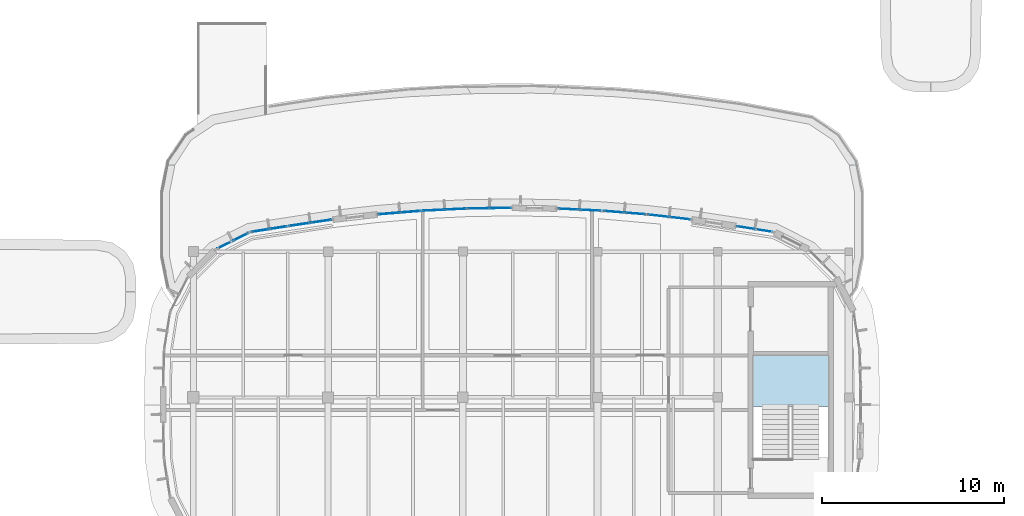
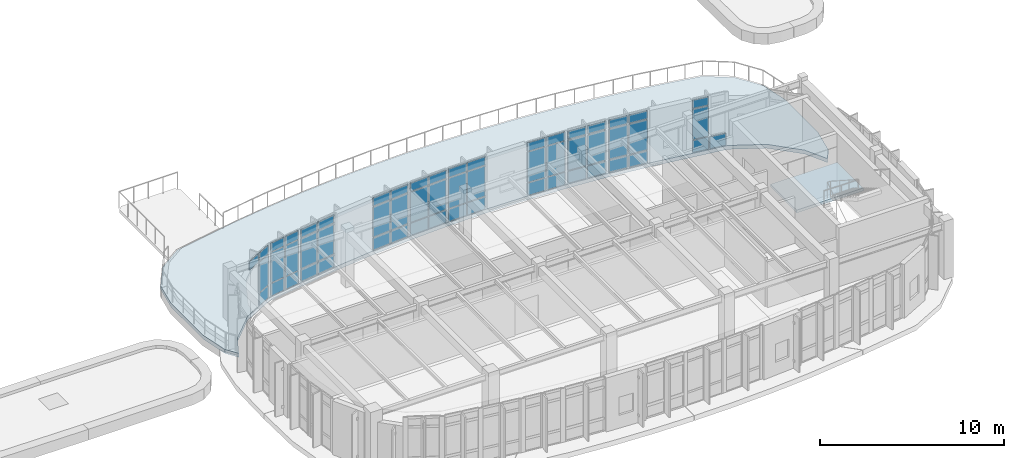
# One storey, part 68 of 111: 56 plates, 2 slabs, 11 elements without a shape of their own.
"""IFC4 building model written with IfcOpenShell, lengths in metres."""

from ifc_helpers import new_model, si_unit, direction, frame, origin, origin_2d, place, context, subcontext, project, spatial, polyline, rectangle, outline, extrude, material, layer, layer_set, type_object, element, aggregate, save


model = new_model("IFC4")

# Units and contexts
model_context = context("Model", 3, precision=1e-05, world=origin(), true_north=direction((0.0, 1.0)))
body_context = subcontext(model_context, "Body", "Model", "MODEL_VIEW")
ifc_project = project(units=[si_unit("LENGTHUNIT", "METRE"), si_unit("AREAUNIT", "SQUARE_METRE"), si_unit("VOLUMEUNIT", "CUBIC_METRE"), si_unit("PLANEANGLEUNIT", "RADIAN"), si_unit("MASSUNIT", "GRAM", prefix="KILO")], contexts=[model_context])

# Site, building, storey
site_placement = place(None, origin())
site = spatial("IfcSite", under=ifc_project, at=site_placement, CompositionType="ELEMENT")
building_placement = place(site_placement, origin())
building = spatial("IfcBuilding", under=site, at=building_placement, Name="Corveleigh Park Community Centre", CompositionType="ELEMENT")
storey_placement = place(building_placement, frame((0.0, 0.0, 4.800048828125)))
storey = spatial("IfcBuildingStorey", under=building, at=storey_placement, Name="L01", CompositionType="ELEMENT", Elevation=4.800048828125)

# Curtain wall, plates
ifc_material_1 = material(Name="Anodised aluminium 6063-T6", Category="aluminium")
curtain_wall_type = type_object("IfcCurtainWallType", Name="CW-SYS-V3-UPP", PredefinedType="NOTDEFINED", material=ifc_material_1)
curtain_wall_1_placement = place(storey_placement, origin())
curtain_wall_1 = element("IfcCurtainWall", 1, at=curtain_wall_1_placement, inside=storey, type_object=curtain_wall_type, Name="V3 L01 Curtain Wall 243", PredefinedType="NOTDEFINED")
ifc_material_2 = material(Name="Low-E double glazing", Category="glass")
ifc_layer_1 = layer(ifc_material_2, 0.028076171875, Name="Low-E double glazing", Category="glass")
ifc_layer_set_1 = layer_set([ifc_layer_1], Name="Low-E double glazing")
plate_type_1 = type_object("IfcPlateType", Name="CWP-GLZ-28", PredefinedType="CURTAIN_PANEL", material=ifc_layer_set_1)
plate_1_placement = place(storey_placement, frame((102.33837890625, 28.11474609375, 0.070068359375), z_axis=(0.0, 0.0, 1.0), x_axis=(0.987661487783, -0.156603912946, 0.0)))
plate_1 = element("IfcPlate", 2, at=plate_1_placement, type_object=plate_type_1, Name="CW06 panel 1.1", PredefinedType="CURTAIN_PANEL", context=body_context, shape_type="SweptSolid", body=[
    extrude(rectangle(XDim=0.935791015625, YDim=0.028076171875, at=origin_2d()), origin(), (0.0, 0.0, 1.0), 0.794921875),
])
plate_2_placement = place(storey_placement, frame((102.33837890625, 28.11474609375, 0.93505859375), z_axis=(0.0, 0.0, 1.0), x_axis=(0.987661487783, -0.156603912946, 0.0)))
plate_2 = element("IfcPlate", 3, at=plate_2_placement, type_object=plate_type_1, Name="CW06 panel 1.2", PredefinedType="CURTAIN_PANEL", context=body_context, shape_type="SweptSolid", body=[
    extrude(rectangle(XDim=0.935791015625, YDim=0.028076171875, at=origin_2d()), origin(), (0.0, 0.0, 1.0), 1.991943359375),
])
plate_3_placement = place(storey_placement, frame((102.33837890625, 28.11474609375, 2.9970703125), z_axis=(0.0, 0.0, 1.0), x_axis=(0.987661487783, -0.156603912946, 0.0)))
plate_3 = element("IfcPlate", 4, at=plate_3_placement, type_object=plate_type_1, Name="CW06 panel 1.3", PredefinedType="CURTAIN_PANEL", context=body_context, shape_type="SweptSolid", body=[
    extrude(rectangle(XDim=0.935791015625, YDim=0.028076171875, at=origin_2d()), origin(), (0.0, 0.0, 1.0), 0.544921875),
])
plate_4_placement = place(storey_placement, frame((103.331787109375, 27.957275390625, 0.070068359375), z_axis=(0.0, 0.0, 1.0), x_axis=(0.987661487783, -0.156603912946, 0.0)))
plate_4 = element("IfcPlate", 5, at=plate_4_placement, type_object=plate_type_1, Name="CW06 panel 2.1", PredefinedType="CURTAIN_PANEL", context=body_context, shape_type="SweptSolid", body=[
    extrude(rectangle(XDim=0.935791015625, YDim=0.028076171875, at=origin_2d()), origin(), (0.0, 0.0, 1.0), 0.794921875),
])
aggregate(curtain_wall_1, [plate_1, plate_2, plate_3, plate_4])

curtain_wall_2_placement = place(storey_placement, origin())
curtain_wall_2 = element("IfcCurtainWall", 6, at=curtain_wall_2_placement, inside=storey, type_object=curtain_wall_type, Name="V3 L01 Curtain Wall 244", PredefinedType="NOTDEFINED")
plate_5_placement = place(storey_placement, frame((97.537841796875, 28.76904296875, 0.074951171875), z_axis=(0.0, 0.0, 1.0), x_axis=(0.99351031493, -0.113742050835, 0.0)))
plate_5 = element("IfcPlate", 7, at=plate_5_placement, type_object=plate_type_1, Name="CW06 panel 1.1", PredefinedType="CURTAIN_PANEL", context=body_context, shape_type="SweptSolid", body=[
    extrude(rectangle(XDim=1.114013671875, YDim=0.028076171875, at=origin_2d()), origin(), (0.0, 0.0, 1.0), 0.78759765625),
])
plate_6_placement = place(storey_placement, frame((97.537841796875, 28.76904296875, 0.9375), z_axis=(0.0, 0.0, 1.0), x_axis=(0.99351031493, -0.113742050835, 0.0)))
plate_6 = element("IfcPlate", 8, at=plate_6_placement, type_object=plate_type_1, Name="CW06 panel 1.2", PredefinedType="CURTAIN_PANEL", context=body_context, shape_type="SweptSolid", body=[
    extrude(rectangle(XDim=1.114013671875, YDim=0.028076171875, at=origin_2d()), origin(), (0.0, 0.0, 1.0), 1.987060546875),
])
plate_7_placement = place(storey_placement, frame((97.537841796875, 28.76904296875, 2.99951171875), z_axis=(0.0, 0.0, 1.0), x_axis=(0.99351031493, -0.113742050835, 0.0)))
plate_7 = element("IfcPlate", 9, at=plate_7_placement, type_object=plate_type_1, Name="CW06 panel 1.3", PredefinedType="CURTAIN_PANEL", context=body_context, shape_type="SweptSolid", body=[
    extrude(rectangle(XDim=1.114013671875, YDim=0.028076171875, at=origin_2d()), origin(), (0.0, 0.0, 1.0), 0.53759765625),
])
plate_8_placement = place(storey_placement, frame((98.71923828125, 28.6337890625, 0.074951171875), z_axis=(0.0, 0.0, 1.0), x_axis=(0.99351031493, -0.113742050835, 0.0)))
plate_8 = element("IfcPlate", 10, at=plate_8_placement, type_object=plate_type_1, Name="CW06 panel 2.1", PredefinedType="CURTAIN_PANEL", context=body_context, shape_type="SweptSolid", body=[
    extrude(rectangle(XDim=1.114013671875, YDim=0.028076171875, at=origin_2d()), origin(), (0.0, 0.0, 1.0), 0.78759765625),
])
plate_9_placement = place(storey_placement, frame((98.71923828125, 28.6337890625, 0.9375), z_axis=(0.0, 0.0, 1.0), x_axis=(0.99351031493, -0.113742050835, 0.0)))
plate_9 = element("IfcPlate", 11, at=plate_9_placement, type_object=plate_type_1, Name="CW06 panel 2.2", PredefinedType="CURTAIN_PANEL", context=body_context, shape_type="SweptSolid", body=[
    extrude(rectangle(XDim=1.114013671875, YDim=0.028076171875, at=origin_2d()), origin(), (0.0, 0.0, 1.0), 1.987060546875),
])
plate_10_placement = place(storey_placement, frame((98.71923828125, 28.6337890625, 2.99951171875), z_axis=(0.0, 0.0, 1.0), x_axis=(0.99351031493, -0.113742050835, 0.0)))
plate_10 = element("IfcPlate", 12, at=plate_10_placement, type_object=plate_type_1, Name="CW06 panel 2.3", PredefinedType="CURTAIN_PANEL", context=body_context, shape_type="SweptSolid", body=[
    extrude(rectangle(XDim=1.114013671875, YDim=0.028076171875, at=origin_2d()), origin(), (0.0, 0.0, 1.0), 0.53759765625),
])
aggregate(curtain_wall_2, [plate_5, plate_6, plate_7, plate_8, plate_9, plate_10])

curtain_wall_3_placement = place(storey_placement, origin())
curtain_wall_3 = element("IfcCurtainWall", 13, at=curtain_wall_3_placement, inside=storey, type_object=curtain_wall_type, Name="V3 L01 Curtain Wall 245", PredefinedType="NOTDEFINED")
ifc_layer_2 = layer(ifc_material_2, 0.031982421875, Name="Low-E double glazing", Category="glass")
ifc_layer_set_2 = layer_set([ifc_layer_2], Name="Low-E double glazing")
plate_type_2 = type_object("IfcPlateType", Name="CWP-GLZ-32", PredefinedType="CURTAIN_PANEL", material=ifc_layer_set_2)
plate_11_placement = place(storey_placement, frame((95.078125, 28.99072265625, 0.080078125), z_axis=(0.0, 0.0, 1.0), x_axis=(0.996704151507, -0.081122341986, 0.0)))
plate_11 = element("IfcPlate", 14, at=plate_11_placement, type_object=plate_type_2, Name="CW06 panel 1.1", PredefinedType="CURTAIN_PANEL", context=body_context, shape_type="SweptSolid", body=[
    extrude(rectangle(XDim=1.1064453125, YDim=0.031982421875, at=origin_2d()), origin(), (0.0, 0.0, 1.0), 0.780029296875),
])
plate_12_placement = place(storey_placement, frame((95.078125, 28.99072265625, 0.93994140625), z_axis=(0.0, 0.0, 1.0), x_axis=(0.996704151507, -0.081122341986, 0.0)))
plate_12 = element("IfcPlate", 15, at=plate_12_placement, type_object=plate_type_2, Name="CW06 panel 1.2", PredefinedType="CURTAIN_PANEL", context=body_context, shape_type="SweptSolid", body=[
    extrude(rectangle(XDim=1.1064453125, YDim=0.031982421875, at=origin_2d()), origin(), (0.0, 0.0, 1.0), 1.98193359375),
])
plate_13_placement = place(storey_placement, frame((95.078125, 28.99072265625, 3.001953125), z_axis=(0.0, 0.0, 1.0), x_axis=(0.996704151507, -0.081122341986, 0.0)))
plate_13 = element("IfcPlate", 16, at=plate_13_placement, type_object=plate_type_2, Name="CW06 panel 1.3", PredefinedType="CURTAIN_PANEL", context=body_context, shape_type="SweptSolid", body=[
    extrude(rectangle(XDim=1.1064453125, YDim=0.031982421875, at=origin_2d()), origin(), (0.0, 0.0, 1.0), 0.530029296875),
])
plate_14_placement = place(storey_placement, frame((96.2607421875, 28.894287109375, 0.080078125), z_axis=(0.0, 0.0, 1.0), x_axis=(0.996704151507, -0.081122341986, 0.0)))
plate_14 = element("IfcPlate", 17, at=plate_14_placement, type_object=plate_type_2, Name="CW06 panel 2.1", PredefinedType="CURTAIN_PANEL", context=body_context, shape_type="SweptSolid", body=[
    extrude(rectangle(XDim=1.1064453125, YDim=0.031982421875, at=origin_2d()), origin(), (0.0, 0.0, 1.0), 0.780029296875),
])
plate_15_placement = place(storey_placement, frame((96.2607421875, 28.894287109375, 0.93994140625), z_axis=(0.0, 0.0, 1.0), x_axis=(0.996704151507, -0.081122341986, 0.0)))
plate_15 = element("IfcPlate", 18, at=plate_15_placement, type_object=plate_type_2, Name="CW06 panel 2.2", PredefinedType="CURTAIN_PANEL", context=body_context, shape_type="SweptSolid", body=[
    extrude(rectangle(XDim=1.1064453125, YDim=0.031982421875, at=origin_2d()), origin(), (0.0, 0.0, 1.0), 1.98193359375),
])
plate_16_placement = place(storey_placement, frame((96.2607421875, 28.894287109375, 3.001953125), z_axis=(0.0, 0.0, 1.0), x_axis=(0.996704151507, -0.081122341986, 0.0)))
plate_16 = element("IfcPlate", 19, at=plate_16_placement, type_object=plate_type_2, Name="CW06 panel 2.3", PredefinedType="CURTAIN_PANEL", context=body_context, shape_type="SweptSolid", body=[
    extrude(rectangle(XDim=1.1064453125, YDim=0.031982421875, at=origin_2d()), origin(), (0.0, 0.0, 1.0), 0.530029296875),
])
aggregate(curtain_wall_3, [plate_11, plate_12, plate_13, plate_14, plate_15, plate_16])

curtain_wall_4_placement = place(storey_placement, origin())
curtain_wall_4 = element("IfcCurtainWall", 20, at=curtain_wall_4_placement, inside=storey, type_object=curtain_wall_type, Name="V3 L01 Curtain Wall 246", PredefinedType="NOTDEFINED")
plate_17_placement = place(storey_placement, frame((92.61279296875, 29.132080078125, 0.059814453125), z_axis=(0.0, 0.0, 1.0), x_axis=(0.998802653687, -0.048920946301, 0.0)))
plate_17 = element("IfcPlate", 21, at=plate_17_placement, type_object=plate_type_2, Name="CW06 panel 1.1", PredefinedType="CURTAIN_PANEL", context=body_context, shape_type="SweptSolid", body=[
    extrude(rectangle(XDim=1.098876953125, YDim=0.031982421875, at=origin_2d()), origin(), (0.0, 0.0, 1.0), 0.81005859375),
])
plate_18_placement = place(storey_placement, frame((92.61279296875, 29.132080078125, 0.929931640625), z_axis=(0.0, 0.0, 1.0), x_axis=(0.998802653687, -0.048920946301, 0.0)))
plate_18 = element("IfcPlate", 22, at=plate_18_placement, type_object=plate_type_2, Name="CW06 panel 1.2", PredefinedType="CURTAIN_PANEL", context=body_context, shape_type="SweptSolid", body=[
    extrude(rectangle(XDim=1.098876953125, YDim=0.031982421875, at=origin_2d()), origin(), (0.0, 0.0, 1.0), 2.001953125),
])
plate_19_placement = place(storey_placement, frame((92.61279296875, 29.132080078125, 2.991943359375), z_axis=(0.0, 0.0, 1.0), x_axis=(0.998802653687, -0.048920946301, 0.0)))
plate_19 = element("IfcPlate", 23, at=plate_19_placement, type_object=plate_type_2, Name="CW06 panel 1.3", PredefinedType="CURTAIN_PANEL", context=body_context, shape_type="SweptSolid", body=[
    extrude(rectangle(XDim=1.098876953125, YDim=0.031982421875, at=origin_2d()), origin(), (0.0, 0.0, 1.0), 0.56005859375),
])
plate_20_placement = place(storey_placement, frame((93.795166015625, 29.073974609375, 0.059814453125), z_axis=(0.0, 0.0, 1.0), x_axis=(0.998802653687, -0.048920946301, 0.0)))
plate_20 = element("IfcPlate", 24, at=plate_20_placement, type_object=plate_type_2, Name="CW06 panel 2.1", PredefinedType="CURTAIN_PANEL", context=body_context, shape_type="SweptSolid", body=[
    extrude(rectangle(XDim=1.098876953125, YDim=0.031982421875, at=origin_2d()), origin(), (0.0, 0.0, 1.0), 0.81005859375),
])
plate_21_placement = place(storey_placement, frame((93.795166015625, 29.073974609375, 0.929931640625), z_axis=(0.0, 0.0, 1.0), x_axis=(0.998802653687, -0.048920946301, 0.0)))
plate_21 = element("IfcPlate", 25, at=plate_21_placement, type_object=plate_type_2, Name="CW06 panel 2.2", PredefinedType="CURTAIN_PANEL", context=body_context, shape_type="SweptSolid", body=[
    extrude(rectangle(XDim=1.098876953125, YDim=0.031982421875, at=origin_2d()), origin(), (0.0, 0.0, 1.0), 2.001953125),
])
plate_22_placement = place(storey_placement, frame((93.795166015625, 29.073974609375, 2.991943359375), z_axis=(0.0, 0.0, 1.0), x_axis=(0.998802653687, -0.048920946301, 0.0)))
plate_22 = element("IfcPlate", 26, at=plate_22_placement, type_object=plate_type_2, Name="CW06 panel 2.3", PredefinedType="CURTAIN_PANEL", context=body_context, shape_type="SweptSolid", body=[
    extrude(rectangle(XDim=1.098876953125, YDim=0.031982421875, at=origin_2d()), origin(), (0.0, 0.0, 1.0), 0.56005859375),
])
aggregate(curtain_wall_4, [plate_17, plate_18, plate_19, plate_20, plate_21, plate_22])

curtain_wall_5_placement = place(storey_placement, origin())
curtain_wall_5 = element("IfcCurtainWall", 27, at=curtain_wall_5_placement, inside=storey, type_object=curtain_wall_type, Name="V3 L01 Curtain Wall 247", PredefinedType="NOTDEFINED")
ifc_layer_3 = layer(ifc_material_2, 0.035888671875, Name="Low-E double glazing", Category="glass")
ifc_layer_set_3 = layer_set([ifc_layer_3], Name="Low-E double glazing")
plate_type_3 = type_object("IfcPlateType", Name="CWP-GLZ-36", PredefinedType="CURTAIN_PANEL", material=ifc_layer_set_3)
plate_23_placement = place(storey_placement, frame((87.6669921875, 29.17333984375, 0.06494140625), z_axis=(0.0, 0.0, 1.0), x_axis=(0.999866966081, 0.016311043488, 0.0)))
plate_23 = element("IfcPlate", 28, at=plate_23_placement, type_object=plate_type_3, Name="CW06 panel 1.1", PredefinedType="CURTAIN_PANEL", context=body_context, shape_type="SweptSolid", body=[
    extrude(rectangle(XDim=1.13623046875, YDim=0.035888671875, at=origin_2d()), origin(), (0.0, 0.0, 1.0), 0.802490234375),
])
plate_24_placement = place(storey_placement, frame((87.6669921875, 29.17333984375, 0.932373046875), z_axis=(0.0, 0.0, 1.0), x_axis=(0.999866966081, 0.016311043488, 0.0)))
plate_24 = element("IfcPlate", 29, at=plate_24_placement, type_object=plate_type_3, Name="CW06 panel 1.2", PredefinedType="CURTAIN_PANEL", context=body_context, shape_type="SweptSolid", body=[
    extrude(rectangle(XDim=1.13623046875, YDim=0.035888671875, at=origin_2d()), origin(), (0.0, 0.0, 1.0), 1.9970703125),
])
plate_25_placement = place(storey_placement, frame((87.6669921875, 29.17333984375, 2.99462890625), z_axis=(0.0, 0.0, 1.0), x_axis=(0.999866966081, 0.016311043488, 0.0)))
plate_25 = element("IfcPlate", 30, at=plate_25_placement, type_object=plate_type_3, Name="CW06 panel 1.3", PredefinedType="CURTAIN_PANEL", context=body_context, shape_type="SweptSolid", body=[
    extrude(rectangle(XDim=1.13623046875, YDim=0.035888671875, at=origin_2d()), origin(), (0.0, 0.0, 1.0), 0.552490234375),
])
plate_26_placement = place(storey_placement, frame((88.863037109375, 29.19287109375, 0.06494140625), z_axis=(0.0, 0.0, 1.0), x_axis=(0.999866966081, 0.016311043488, 0.0)))
plate_26 = element("IfcPlate", 31, at=plate_26_placement, type_object=plate_type_3, Name="CW06 panel 2.1", PredefinedType="CURTAIN_PANEL", context=body_context, shape_type="SweptSolid", body=[
    extrude(rectangle(XDim=1.13623046875, YDim=0.035888671875, at=origin_2d()), origin(), (0.0, 0.0, 1.0), 0.802490234375),
])
plate_27_placement = place(storey_placement, frame((88.863037109375, 29.19287109375, 0.932373046875), z_axis=(0.0, 0.0, 1.0), x_axis=(0.999866966081, 0.016311043488, 0.0)))
plate_27 = element("IfcPlate", 32, at=plate_27_placement, type_object=plate_type_3, Name="CW06 panel 2.2", PredefinedType="CURTAIN_PANEL", context=body_context, shape_type="SweptSolid", body=[
    extrude(rectangle(XDim=1.13623046875, YDim=0.035888671875, at=origin_2d()), origin(), (0.0, 0.0, 1.0), 1.9970703125),
])
plate_28_placement = place(storey_placement, frame((88.863037109375, 29.19287109375, 2.99462890625), z_axis=(0.0, 0.0, 1.0), x_axis=(0.999866966081, 0.016311043488, 0.0)))
plate_28 = element("IfcPlate", 33, at=plate_28_placement, type_object=plate_type_3, Name="CW06 panel 2.3", PredefinedType="CURTAIN_PANEL", context=body_context, shape_type="SweptSolid", body=[
    extrude(rectangle(XDim=1.13623046875, YDim=0.035888671875, at=origin_2d()), origin(), (0.0, 0.0, 1.0), 0.552490234375),
])
aggregate(curtain_wall_5, [plate_23, plate_24, plate_25, plate_26, plate_27, plate_28])

curtain_wall_6_placement = place(storey_placement, origin())
curtain_wall_6 = element("IfcCurtainWall", 34, at=curtain_wall_6_placement, inside=storey, type_object=curtain_wall_type, Name="V3 L01 Curtain Wall 248", PredefinedType="NOTDEFINED")
plate_29_placement = place(storey_placement, frame((85.19970703125, 29.07373046875, 0.070068359375), z_axis=(0.0, 0.0, 1.0), x_axis=(0.998802653687, 0.048920946301, 0.0)))
plate_29 = element("IfcPlate", 35, at=plate_29_placement, type_object=plate_type_3, Name="CW06 panel 1.1", PredefinedType="CURTAIN_PANEL", context=body_context, shape_type="SweptSolid", body=[
    extrude(rectangle(XDim=1.12890625, YDim=0.035888671875, at=origin_2d()), origin(), (0.0, 0.0, 1.0), 0.794921875),
])
plate_30_placement = place(storey_placement, frame((85.19970703125, 29.07373046875, 0.93505859375), z_axis=(0.0, 0.0, 1.0), x_axis=(0.998802653687, 0.048920946301, 0.0)))
plate_30 = element("IfcPlate", 36, at=plate_30_placement, type_object=plate_type_3, Name="CW06 panel 1.2", PredefinedType="CURTAIN_PANEL", context=body_context, shape_type="SweptSolid", body=[
    extrude(rectangle(XDim=1.12890625, YDim=0.035888671875, at=origin_2d()), origin(), (0.0, 0.0, 1.0), 1.991943359375),
])
plate_31_placement = place(storey_placement, frame((85.19970703125, 29.07373046875, 2.9970703125), z_axis=(0.0, 0.0, 1.0), x_axis=(0.998802653687, 0.048920946301, 0.0)))
plate_31 = element("IfcPlate", 37, at=plate_31_placement, type_object=plate_type_3, Name="CW06 panel 1.3", PredefinedType="CURTAIN_PANEL", context=body_context, shape_type="SweptSolid", body=[
    extrude(rectangle(XDim=1.12890625, YDim=0.035888671875, at=origin_2d()), origin(), (0.0, 0.0, 1.0), 0.544921875),
])
plate_32_placement = place(storey_placement, frame((86.392333984375, 29.13232421875, 0.070068359375), z_axis=(0.0, 0.0, 1.0), x_axis=(0.998802653687, 0.048920946301, 0.0)))
plate_32 = element("IfcPlate", 38, at=plate_32_placement, type_object=plate_type_3, Name="CW06 panel 2.1", PredefinedType="CURTAIN_PANEL", context=body_context, shape_type="SweptSolid", body=[
    extrude(rectangle(XDim=1.12890625, YDim=0.035888671875, at=origin_2d()), origin(), (0.0, 0.0, 1.0), 0.794921875),
])
plate_33_placement = place(storey_placement, frame((86.392333984375, 29.13232421875, 0.93505859375), z_axis=(0.0, 0.0, 1.0), x_axis=(0.998802653687, 0.048920946301, 0.0)))
plate_33 = element("IfcPlate", 39, at=plate_33_placement, type_object=plate_type_3, Name="CW06 panel 2.2", PredefinedType="CURTAIN_PANEL", context=body_context, shape_type="SweptSolid", body=[
    extrude(rectangle(XDim=1.12890625, YDim=0.035888671875, at=origin_2d()), origin(), (0.0, 0.0, 1.0), 1.991943359375),
])
plate_34_placement = place(storey_placement, frame((86.392333984375, 29.13232421875, 2.9970703125), z_axis=(0.0, 0.0, 1.0), x_axis=(0.998802653687, 0.048920946301, 0.0)))
plate_34 = element("IfcPlate", 40, at=plate_34_placement, type_object=plate_type_3, Name="CW06 panel 2.3", PredefinedType="CURTAIN_PANEL", context=body_context, shape_type="SweptSolid", body=[
    extrude(rectangle(XDim=1.12890625, YDim=0.035888671875, at=origin_2d()), origin(), (0.0, 0.0, 1.0), 0.544921875),
])
aggregate(curtain_wall_6, [plate_29, plate_30, plate_31, plate_32, plate_33, plate_34])

curtain_wall_7_placement = place(storey_placement, origin())
curtain_wall_7 = element("IfcCurtainWall", 41, at=curtain_wall_7_placement, inside=storey, type_object=curtain_wall_type, Name="V3 L01 Curtain Wall 249", PredefinedType="NOTDEFINED")
ifc_layer_4 = layer(ifc_material_2, 0.0400390625, Name="Low-E double glazing", Category="glass")
ifc_layer_set_4 = layer_set([ifc_layer_4], Name="Low-E double glazing")
plate_type_4 = type_object("IfcPlateType", Name="CWP-GLZ-40", PredefinedType="CURTAIN_PANEL", material=ifc_layer_set_4)
plate_35_placement = place(storey_placement, frame((82.736572265625, 28.894287109375, 0.074951171875), z_axis=(0.0, 0.0, 1.0), x_axis=(0.996704151507, 0.081122341986, 0.0)))
plate_35 = element("IfcPlate", 42, at=plate_35_placement, type_object=plate_type_4, Name="CW06 panel 1.1", PredefinedType="CURTAIN_PANEL", context=body_context, shape_type="SweptSolid", body=[
    extrude(rectangle(XDim=1.12158203125, YDim=0.0400390625, at=origin_2d()), origin(), (0.0, 0.0, 1.0), 0.78759765625),
])
plate_36_placement = place(storey_placement, frame((82.736572265625, 28.894287109375, 0.9375), z_axis=(0.0, 0.0, 1.0), x_axis=(0.996704151507, 0.081122341986, 0.0)))
plate_36 = element("IfcPlate", 43, at=plate_36_placement, type_object=plate_type_4, Name="CW06 panel 1.2", PredefinedType="CURTAIN_PANEL", context=body_context, shape_type="SweptSolid", body=[
    extrude(rectangle(XDim=1.12158203125, YDim=0.0400390625, at=origin_2d()), origin(), (0.0, 0.0, 1.0), 1.987060546875),
])
plate_37_placement = place(storey_placement, frame((82.736572265625, 28.894287109375, 2.99951171875), z_axis=(0.0, 0.0, 1.0), x_axis=(0.996704151507, 0.081122341986, 0.0)))
plate_37 = element("IfcPlate", 44, at=plate_37_placement, type_object=plate_type_4, Name="CW06 panel 1.3", PredefinedType="CURTAIN_PANEL", context=body_context, shape_type="SweptSolid", body=[
    extrude(rectangle(XDim=1.12158203125, YDim=0.0400390625, at=origin_2d()), origin(), (0.0, 0.0, 1.0), 0.53759765625),
])
plate_38_placement = place(storey_placement, frame((83.92431640625, 28.99072265625, 0.074951171875), z_axis=(0.0, 0.0, 1.0), x_axis=(0.996704151507, 0.081122341986, 0.0)))
plate_38 = element("IfcPlate", 45, at=plate_38_placement, type_object=plate_type_4, Name="CW06 panel 2.1", PredefinedType="CURTAIN_PANEL", context=body_context, shape_type="SweptSolid", body=[
    extrude(rectangle(XDim=1.12158203125, YDim=0.0400390625, at=origin_2d()), origin(), (0.0, 0.0, 1.0), 0.78759765625),
])
plate_39_placement = place(storey_placement, frame((83.92431640625, 28.99072265625, 0.9375), z_axis=(0.0, 0.0, 1.0), x_axis=(0.996704151507, 0.081122341986, 0.0)))
plate_39 = element("IfcPlate", 46, at=plate_39_placement, type_object=plate_type_4, Name="CW06 panel 2.2", PredefinedType="CURTAIN_PANEL", context=body_context, shape_type="SweptSolid", body=[
    extrude(rectangle(XDim=1.12158203125, YDim=0.0400390625, at=origin_2d()), origin(), (0.0, 0.0, 1.0), 1.987060546875),
])
plate_40_placement = place(storey_placement, frame((83.92431640625, 28.99072265625, 2.99951171875), z_axis=(0.0, 0.0, 1.0), x_axis=(0.996704151507, 0.081122341986, 0.0)))
plate_40 = element("IfcPlate", 47, at=plate_40_placement, type_object=plate_type_4, Name="CW06 panel 2.3", PredefinedType="CURTAIN_PANEL", context=body_context, shape_type="SweptSolid", body=[
    extrude(rectangle(XDim=1.12158203125, YDim=0.0400390625, at=origin_2d()), origin(), (0.0, 0.0, 1.0), 0.53759765625),
])
aggregate(curtain_wall_7, [plate_35, plate_36, plate_37, plate_38, plate_39, plate_40])

curtain_wall_8_placement = place(storey_placement, origin())
curtain_wall_8 = element("IfcCurtainWall", 48, at=curtain_wall_8_placement, inside=storey, type_object=curtain_wall_type, Name="V3 L01 Curtain Wall 250", PredefinedType="NOTDEFINED")
plate_41_placement = place(storey_placement, frame((77.83251953125, 28.29345703125, 0.080078125), z_axis=(0.0, 0.0, 1.0), x_axis=(0.989244986105, 0.146268101327, 0.0)))
plate_41 = element("IfcPlate", 49, at=plate_41_placement, type_object=plate_type_4, Name="CW06 panel 1.1", PredefinedType="CURTAIN_PANEL", context=body_context, shape_type="SweptSolid", body=[
    extrude(rectangle(XDim=1.11474609375, YDim=0.0400390625, at=origin_2d()), origin(), (0.0, 0.0, 1.0), 0.780029296875),
])
plate_42_placement = place(storey_placement, frame((77.83251953125, 28.29345703125, 0.93994140625), z_axis=(0.0, 0.0, 1.0), x_axis=(0.989244986105, 0.146268101327, 0.0)))
plate_42 = element("IfcPlate", 50, at=plate_42_placement, type_object=plate_type_4, Name="CW06 panel 1.2", PredefinedType="CURTAIN_PANEL", context=body_context, shape_type="SweptSolid", body=[
    extrude(rectangle(XDim=1.11474609375, YDim=0.0400390625, at=origin_2d()), origin(), (0.0, 0.0, 1.0), 1.98193359375),
])
plate_43_placement = place(storey_placement, frame((77.83251953125, 28.29345703125, 3.001953125), z_axis=(0.0, 0.0, 1.0), x_axis=(0.989244986105, 0.146268101327, 0.0)))
plate_43 = element("IfcPlate", 51, at=plate_43_placement, type_object=plate_type_4, Name="CW06 panel 1.3", PredefinedType="CURTAIN_PANEL", context=body_context, shape_type="SweptSolid", body=[
    extrude(rectangle(XDim=1.11474609375, YDim=0.0400390625, at=origin_2d()), origin(), (0.0, 0.0, 1.0), 0.530029296875),
])
plate_44_placement = place(storey_placement, frame((79.009521484375, 28.467529296875, 0.080078125), z_axis=(0.0, 0.0, 1.0), x_axis=(0.989244986105, 0.146268101327, 0.0)))
plate_44 = element("IfcPlate", 52, at=plate_44_placement, type_object=plate_type_4, Name="CW06 panel 2.1", PredefinedType="CURTAIN_PANEL", context=body_context, shape_type="SweptSolid", body=[
    extrude(rectangle(XDim=1.11474609375, YDim=0.0400390625, at=origin_2d()), origin(), (0.0, 0.0, 1.0), 0.780029296875),
])
plate_45_placement = place(storey_placement, frame((79.009521484375, 28.467529296875, 0.93994140625), z_axis=(0.0, 0.0, 1.0), x_axis=(0.989244986105, 0.146268101327, 0.0)))
plate_45 = element("IfcPlate", 53, at=plate_45_placement, type_object=plate_type_4, Name="CW06 panel 2.2", PredefinedType="CURTAIN_PANEL", context=body_context, shape_type="SweptSolid", body=[
    extrude(rectangle(XDim=1.11474609375, YDim=0.0400390625, at=origin_2d()), origin(), (0.0, 0.0, 1.0), 1.98193359375),
])
plate_46_placement = place(storey_placement, frame((79.009521484375, 28.467529296875, 3.001953125), z_axis=(0.0, 0.0, 1.0), x_axis=(0.989244986105, 0.146268101327, 0.0)))
plate_46 = element("IfcPlate", 54, at=plate_46_placement, type_object=plate_type_4, Name="CW06 panel 2.3", PredefinedType="CURTAIN_PANEL", context=body_context, shape_type="SweptSolid", body=[
    extrude(rectangle(XDim=1.11474609375, YDim=0.0400390625, at=origin_2d()), origin(), (0.0, 0.0, 1.0), 0.530029296875),
])
aggregate(curtain_wall_8, [plate_41, plate_42, plate_43, plate_44, plate_45, plate_46])

curtain_wall_9_placement = place(storey_placement, origin())
curtain_wall_9 = element("IfcCurtainWall", 55, at=curtain_wall_9_placement, inside=storey, type_object=curtain_wall_type, Name="V3 L01 Curtain Wall 251", PredefinedType="NOTDEFINED")
ifc_layer_5 = layer(ifc_material_2, 0.0439453125, Name="Low-E double glazing", Category="glass")
ifc_layer_set_5 = layer_set([ifc_layer_5], Name="Low-E double glazing")
plate_type_5 = type_object("IfcPlateType", Name="CWP-GLZ-44", PredefinedType="CURTAIN_PANEL", material=ifc_layer_set_5)
plate_47_placement = place(storey_placement, frame((75.670654296875, 27.95751953125, 0.059814453125), z_axis=(0.0, 0.0, 1.0), x_axis=(0.987661487783, 0.156603912946, 0.0)))
plate_47 = element("IfcPlate", 56, at=plate_47_placement, type_object=plate_type_5, Name="CW06 panel 1.1", PredefinedType="CURTAIN_PANEL", context=body_context, shape_type="SweptSolid", body=[
    extrude(rectangle(XDim=0.9208984375, YDim=0.0439453125, at=origin_2d()), origin(), (0.0, 0.0, 1.0), 0.81005859375),
])
plate_48_placement = place(storey_placement, frame((75.670654296875, 27.95751953125, 0.929931640625), z_axis=(0.0, 0.0, 1.0), x_axis=(0.987661487783, 0.156603912946, 0.0)))
plate_48 = element("IfcPlate", 57, at=plate_48_placement, type_object=plate_type_5, Name="CW06 panel 1.2", PredefinedType="CURTAIN_PANEL", context=body_context, shape_type="SweptSolid", body=[
    extrude(rectangle(XDim=0.9208984375, YDim=0.0439453125, at=origin_2d()), origin(), (0.0, 0.0, 1.0), 2.001953125),
])
plate_49_placement = place(storey_placement, frame((75.670654296875, 27.95751953125, 2.991943359375), z_axis=(0.0, 0.0, 1.0), x_axis=(0.987661487783, 0.156603912946, 0.0)))
plate_49 = element("IfcPlate", 58, at=plate_49_placement, type_object=plate_type_5, Name="CW06 panel 1.3", PredefinedType="CURTAIN_PANEL", context=body_context, shape_type="SweptSolid", body=[
    extrude(rectangle(XDim=0.9208984375, YDim=0.0439453125, at=origin_2d()), origin(), (0.0, 0.0, 1.0), 0.56005859375),
])
plate_50_placement = place(storey_placement, frame((76.6591796875, 28.1142578125, 0.059814453125), z_axis=(0.0, 0.0, 1.0), x_axis=(0.987661487783, 0.156603912946, 0.0)))
plate_50 = element("IfcPlate", 59, at=plate_50_placement, type_object=plate_type_5, Name="CW06 panel 2.1", PredefinedType="CURTAIN_PANEL", context=body_context, shape_type="SweptSolid", body=[
    extrude(rectangle(XDim=0.9208984375, YDim=0.0439453125, at=origin_2d()), origin(), (0.0, 0.0, 1.0), 0.81005859375),
])
plate_51_placement = place(storey_placement, frame((76.6591796875, 28.1142578125, 0.929931640625), z_axis=(0.0, 0.0, 1.0), x_axis=(0.987661487783, 0.156603912946, 0.0)))
plate_51 = element("IfcPlate", 60, at=plate_51_placement, type_object=plate_type_5, Name="CW06 panel 2.2", PredefinedType="CURTAIN_PANEL", context=body_context, shape_type="SweptSolid", body=[
    extrude(rectangle(XDim=0.9208984375, YDim=0.0439453125, at=origin_2d()), origin(), (0.0, 0.0, 1.0), 2.001953125),
])
plate_52_placement = place(storey_placement, frame((76.6591796875, 28.1142578125, 2.991943359375), z_axis=(0.0, 0.0, 1.0), x_axis=(0.987661487783, 0.156603912946, 0.0)))
plate_52 = element("IfcPlate", 61, at=plate_52_placement, type_object=plate_type_5, Name="CW06 panel 2.3", PredefinedType="CURTAIN_PANEL", context=body_context, shape_type="SweptSolid", body=[
    extrude(rectangle(XDim=0.9208984375, YDim=0.0439453125, at=origin_2d()), origin(), (0.0, 0.0, 1.0), 0.56005859375),
])
aggregate(curtain_wall_9, [plate_47, plate_48, plate_49, plate_50, plate_51, plate_52])

curtain_wall_10_placement = place(storey_placement, origin())
curtain_wall_10 = element("IfcCurtainWall", 62, at=curtain_wall_10_placement, inside=storey, type_object=curtain_wall_type, Name="V3 L01 Curtain Wall 252", PredefinedType="NOTDEFINED")
plate_53_placement = place(storey_placement, frame((73.712890625, 27.16064453125, 2.99462890625), z_axis=(0.0, 0.0, 1.0), x_axis=(0.890890679418, 0.454217786228, 0.0)))
plate_53 = element("IfcPlate", 63, at=plate_53_placement, type_object=plate_type_5, Name="CW06 panel 1.3", PredefinedType="CURTAIN_PANEL", context=body_context, shape_type="SweptSolid", body=[
    extrude(rectangle(XDim=0.8984375, YDim=0.0439453125, at=origin_2d()), origin(), (0.0, 0.0, 1.0), 0.552490234375),
])
plate_54_placement = place(storey_placement, frame((74.589111328125, 27.607421875, 0.06494140625), z_axis=(0.0, 0.0, 1.0), x_axis=(0.890890679418, 0.454217786228, 0.0)))
plate_54 = element("IfcPlate", 64, at=plate_54_placement, type_object=plate_type_5, Name="CW06 panel 2.1", PredefinedType="CURTAIN_PANEL", context=body_context, shape_type="SweptSolid", body=[
    extrude(rectangle(XDim=0.8984375, YDim=0.0439453125, at=origin_2d()), origin(), (0.0, 0.0, 1.0), 0.802490234375),
])
plate_55_placement = place(storey_placement, frame((74.589111328125, 27.607421875, 0.932373046875), z_axis=(0.0, 0.0, 1.0), x_axis=(0.890890679418, 0.454217786228, 0.0)))
plate_55 = element("IfcPlate", 65, at=plate_55_placement, type_object=plate_type_5, Name="CW06 panel 2.2", PredefinedType="CURTAIN_PANEL", context=body_context, shape_type="SweptSolid", body=[
    extrude(rectangle(XDim=0.8984375, YDim=0.0439453125, at=origin_2d()), origin(), (0.0, 0.0, 1.0), 1.9970703125),
])
plate_56_placement = place(storey_placement, frame((74.589111328125, 27.607421875, 2.99462890625), z_axis=(0.0, 0.0, 1.0), x_axis=(0.890890679418, 0.454217786228, 0.0)))
plate_56 = element("IfcPlate", 66, at=plate_56_placement, type_object=plate_type_5, Name="CW06 panel 2.3", PredefinedType="CURTAIN_PANEL", context=body_context, shape_type="SweptSolid", body=[
    extrude(rectangle(XDim=0.8984375, YDim=0.0439453125, at=origin_2d()), origin(), (0.0, 0.0, 1.0), 0.552490234375),
])
aggregate(curtain_wall_10, [plate_53, plate_54, plate_55, plate_56])

# Stair, slab
ifc_material_3 = material(Name="Concrete C32/40", Category="concrete")
stair_type = type_object("IfcStairType", Name="STR-HT-1500-390", PredefinedType="USERDEFINED", material=ifc_material_3)
stair_placement = place(storey_placement, origin())
stair = element("IfcStair", 67, at=stair_placement, inside=storey, type_object=stair_type, Name="Protected escape stair ST4 (L01 to L02)", ObjectType="TWO_RETURN_STAIR", PredefinedType="USERDEFINED")
ifc_layer_6 = layer(ifc_material_3, 0.18798828125, Name="Concrete C32/40", Category="concrete")
ifc_layer_set_6 = layer_set([ifc_layer_6], Name="Concrete C32/40")
slab_type_1 = type_object("IfcSlabType", Name="SLB-LND-188", PredefinedType="LANDING", material=ifc_layer_set_6)
slab_1_placement = place(storey_placement, frame((0.0, 0.0, 1.761962890625)))
slab_1 = element("IfcSlab", 68, at=slab_1_placement, type_object=slab_type_1, Name="ST4 half landing", PredefinedType="LANDING", context=body_context, shape_type="SweptSolid", body=[
    extrude(outline(polyline([(102.701904296875, 18.284912109375), (106.89794921875, 18.284912109375), (106.89794921875, 21.123046875), (102.701904296875, 21.123046875), (102.701904296875, 18.284912109375)])), origin(), (0.0, 0.0, 1.0), 0.18798828125),
])
aggregate(stair, [slab_1])

# Slab
ifc_layer_7 = layer(ifc_material_3, 0.2548828125, Name="Concrete C32/40", Category="concrete")
ifc_layer_set_7 = layer_set([ifc_layer_7], Name="Concrete C32/40")
slab_type_2 = type_object("IfcSlabType", Name="SLB-TER-255", PredefinedType="FLOOR", material=ifc_layer_set_7)
slab_2_placement = place(storey_placement, frame((0.0, 0.0, -0.255126953125)))
element("IfcSlab", 69, at=slab_2_placement, inside=storey, type_object=slab_type_2, Name="Banquet Courtyard Roof Terrace bay 1", PredefinedType="FLOOR", context=body_context, shape_type="SweptSolid", body=[
    extrude(outline(polyline([(70.544921875, 24.800048828125), (70.199951171875, 26.535888671875), (70.199951171875, 30.06396484375), (70.544921875, 31.800048828125), (71.529052734375, 33.27099609375), (73.0, 34.2548828125), (76.986083984375, 34.993896484375), (79.2470703125, 35.322998046875), (81.51708984375, 35.5869140625), (83.79296875, 35.784912109375), (86.073974609375, 35.9169921875), (88.35791015625, 35.98291015625), (90.64208984375, 35.98291015625), (92.926025390625, 35.9169921875), (95.20703125, 35.784912109375), (97.48291015625, 35.5869140625), (99.7529296875, 35.322998046875), (102.013916015625, 34.993896484375), (104.263916015625, 34.60009765625), (106.0, 34.2548828125), (107.470947265625, 33.27099609375), (108.455078125, 31.800048828125), (108.800048828125, 30.06396484375), (108.800048828125, 26.535888671875), (108.455078125, 24.800048828125), (107.98193359375, 24.093017578125), (107.31298828125, 25.406005859375), (105.80810546875, 26.912109375), (103.905029296875, 27.881103515625), (99.35791015625, 28.575927734375), (96.903076171875, 28.85693359375), (94.43896484375, 29.05810546875), (91.969970703125, 29.177978515625), (89.5, 29.218017578125), (87.030029296875, 29.177978515625), (84.56103515625, 29.05810546875), (82.097900390625, 28.85693359375), (79.64208984375, 28.575927734375), (75.096923828125, 27.882080078125), (73.19189453125, 26.912109375), (71.68701171875, 25.406005859375), (71.01806640625, 24.093017578125), (70.544921875, 24.800048828125)])), origin(), (0.0, 0.0, 1.0), 0.255126953125),
])

save(model, "model.ifc")
